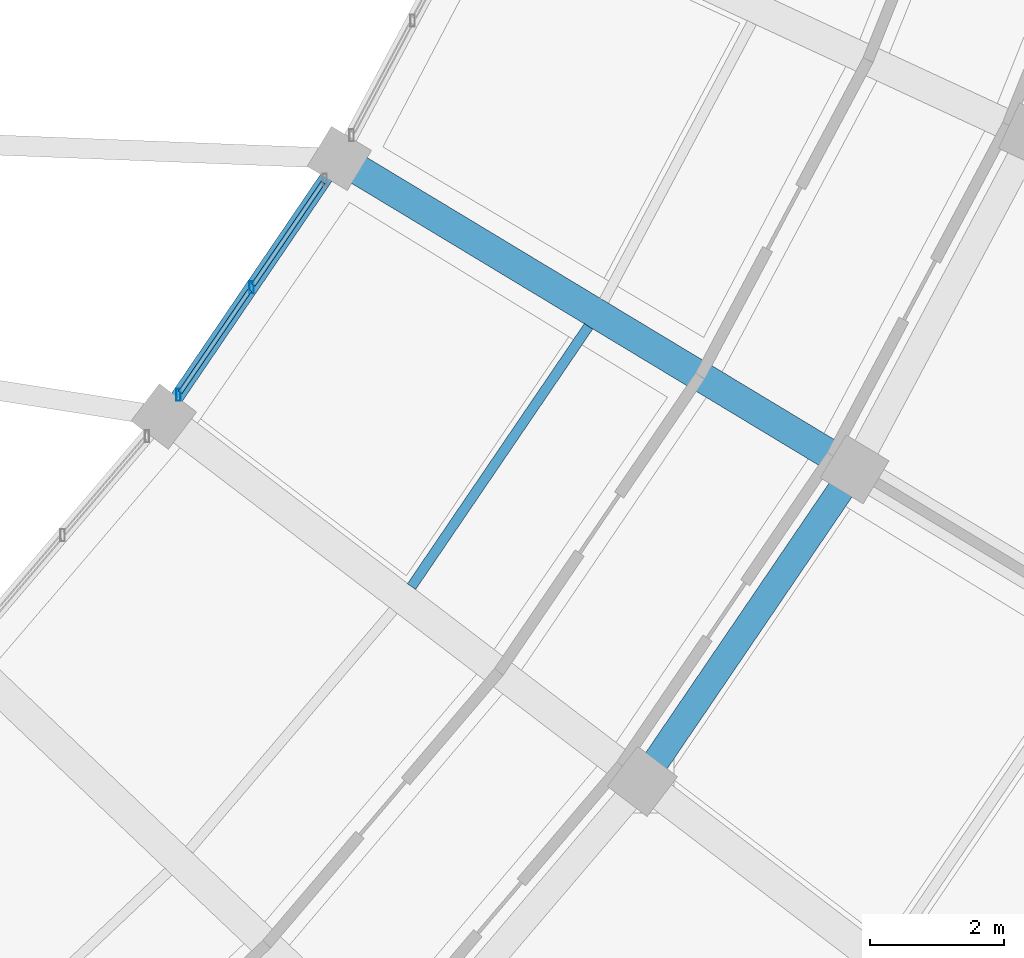
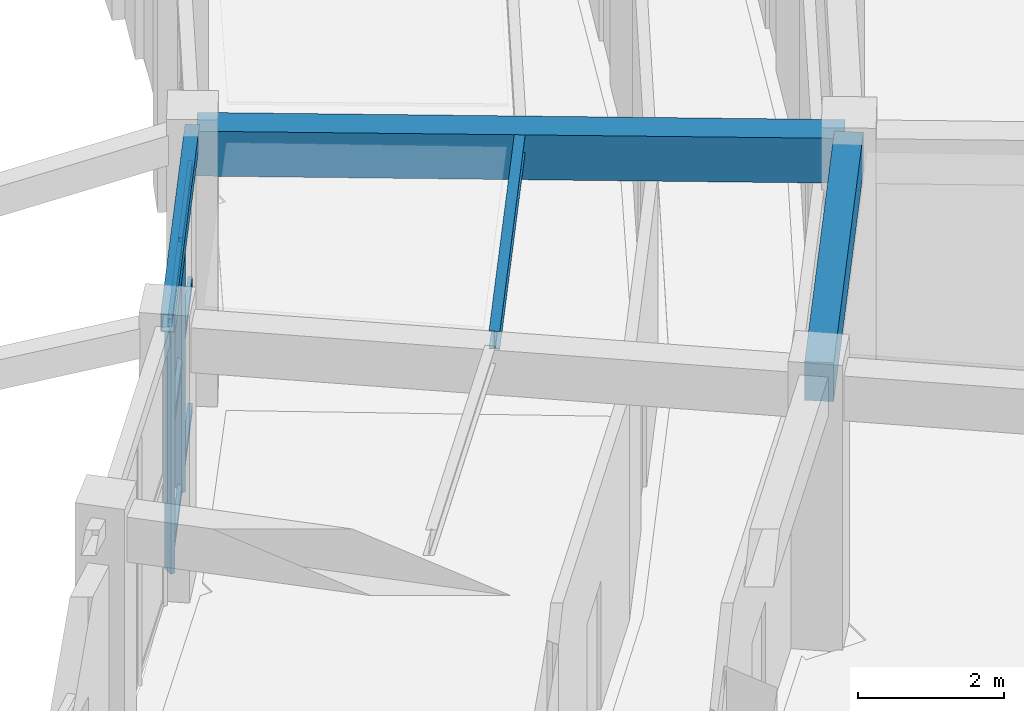
# One storey, part 63 of 108: 8 members, 4 beams, 1 element without a shape of its own.
"""IFC4 building model written with IfcOpenShell, lengths in metres."""

from ifc_helpers import new_model, si_unit, direction, frame, origin, origin_2d, place, context, subcontext, project, spatial, rectangle, hollow_rectangle, i_section, extrude, material, material_profile, profile_set, type_object, element, aggregate, save


model = new_model("IFC4")

# Units and contexts
model_context = context("Model", 3, precision=1e-05, world=origin(), true_north=direction((0.0, 1.0)))
body_context = subcontext(model_context, "Body", "Model", "MODEL_VIEW")
ifc_project = project(units=[si_unit("LENGTHUNIT", "METRE"), si_unit("AREAUNIT", "SQUARE_METRE"), si_unit("VOLUMEUNIT", "CUBIC_METRE"), si_unit("PLANEANGLEUNIT", "RADIAN"), si_unit("MASSUNIT", "GRAM", prefix="KILO")], contexts=[model_context])

# Site, building, storey
site_placement = place(None, origin())
site = spatial("IfcSite", under=ifc_project, at=site_placement, CompositionType="ELEMENT")
building_placement = place(site_placement, origin())
building = spatial("IfcBuilding", under=site, at=building_placement, Name="Tarnveldt Headland Concert Hall", CompositionType="ELEMENT")
storey_placement = place(building_placement, origin())
storey = spatial("IfcBuildingStorey", under=building, at=storey_placement, Name="L00", CompositionType="ELEMENT", Elevation=0.0)

# Beams
ifc_material_1 = material(Name="Concrete C40/50", Category="concrete")
ifc_material_profile_1 = material_profile(ifc_material_1, rectangle(XDim=0.39990234375, YDim=0.64990234375, at=origin_2d()), Name="RC 400x650", Category="concrete")
ifc_profile_set_1 = profile_set([ifc_material_profile_1], Name="Concrete C40/50")
beam_type_1 = type_object("IfcBeamType", Name="CB-400x650", PredefinedType="BEAM", material=ifc_profile_set_1)
beam_1_placement = place(storey_placement, frame((158.8798828125, 28.51416015625, 4.195068359375), z_axis=(0.562436935029, 0.826840186563, 0.0), x_axis=(-0.826840186563, 0.562436935029, 0.0)))
element("IfcBeam", 1, at=beam_1_placement, inside=storey, type_object=beam_type_1, Name="Framing beam L00-448", PredefinedType="BEAM", context=body_context, shape_type="SweptSolid", body=[
    extrude(rectangle(XDim=0.39990234375, YDim=0.64990234375, at=origin_2d()), origin(), (0.0, 0.0, 1.0), 5.5244140625),
])
ifc_material_profile_2 = material_profile(ifc_material_1, rectangle(XDim=0.449951171875, YDim=0.75, at=origin_2d()), Name="RC 450x750", Category="concrete")
ifc_profile_set_2 = profile_set([ifc_material_profile_2], Name="Concrete C40/50")
beam_type_2 = type_object("IfcBeamType", Name="CB-450x750", PredefinedType="BEAM", material=ifc_profile_set_2)
beam_2_placement = place(storey_placement, frame((154.36669921875, 37.7509765625, 4.14501953125), z_axis=(0.856155786083, -0.516717785602, 0.0), x_axis=(0.516717785602, 0.856155786083, 0.0)))
element("IfcBeam", 2, at=beam_2_placement, inside=storey, type_object=beam_type_2, Name="Framing beam L00-452", PredefinedType="BEAM", context=body_context, shape_type="SweptSolid", body=[
    extrude(rectangle(XDim=0.449951171875, YDim=0.75, at=origin_2d()), origin(), (0.0, 0.0, 1.0), 8.8798828125),
])

# Curtain wall, members
ifc_material_2 = material(Name="Marine-anodised aluminium EN AW-6063-T6", Category="aluminium")
curtain_wall_type = type_object("IfcCurtainWallType", Name="CW-C1", PredefinedType="NOTDEFINED", material=ifc_material_2)
curtain_wall_placement = place(storey_placement, origin())
curtain_wall = element("IfcCurtainWall", 3, at=curtain_wall_placement, inside=storey, type_object=curtain_wall_type, Name="Curtain wall CW-L00-097", PredefinedType="NOTDEFINED")
ifc_material_profile_3 = material_profile(ifc_material_2, hollow_rectangle(XDim=0.06494140625, YDim=0.179931640625, WallThickness=0.00390625, at=origin_2d()), Name="ALU MULLION 65x180x4", Category="aluminium")
ifc_profile_set_3 = profile_set([ifc_material_profile_3], Name="Marine-anodised aluminium EN AW-6063-T6")
member_type_1 = type_object("IfcMemberType", Name="ML-180", PredefinedType="MULLION", material=ifc_profile_set_3)
member_1_placement = place(storey_placement, frame((151.909423828125, 34.2451171875, 0.0), z_axis=(0.0, 0.0, 1.0), x_axis=(1.0, 0.0, 0.0)))
member_1 = element("IfcMember", 4, at=member_1_placement, type_object=member_type_1, Name="Mullion CW-L00-097-1", PredefinedType="MULLION", context=body_context, shape_type="SweptSolid", body=[
    extrude(hollow_rectangle(XDim=0.06494140625, YDim=0.179931640625, WallThickness=0.00390625, at=origin_2d()), origin(), (0.0, 0.0, 1.0), 4.159912109375),
])
member_2_placement = place(storey_placement, frame((153.002685546875, 35.852294921875, 0.0), z_axis=(0.0, 0.0, 1.0), x_axis=(1.0, 0.0, 0.0)))
member_2 = element("IfcMember", 5, at=member_2_placement, type_object=member_type_1, Name="Mullion CW-L00-097-2", PredefinedType="MULLION", context=body_context, shape_type="SweptSolid", body=[
    extrude(hollow_rectangle(XDim=0.06494140625, YDim=0.179931640625, WallThickness=0.00390625, at=origin_2d()), origin(), (0.0, 0.0, 1.0), 4.159912109375),
])

# Beams
ifc_material_3 = material(Name="Steel S355", Category="steel")
ifc_material_profile_4 = material_profile(ifc_material_3, i_section(OverallWidth=0.14990234375, OverallDepth=0.300048828125, WebThickness=0.007080078125, FlangeThickness=0.0107421875, FilletRadius=0.014892578125, at=origin_2d()), Name="IPE300", Category="steel")
ifc_profile_set_4 = profile_set([ifc_material_profile_4], Name="Steel S355")
beam_type_3 = type_object("IfcBeamType", Name="SB-IPE300", PredefinedType="JOIST", material=ifc_profile_set_4)
beam_3_placement = place(storey_placement, frame((155.394775390625, 31.379638671875, 4.3701171875), z_axis=(0.562422118393, 0.826850265007, 0.0), x_axis=(-0.826850265007, 0.562422118393, 0.0)))
element("IfcBeam", 6, at=beam_3_placement, inside=storey, type_object=beam_type_3, Name="Framing beam L00-450", PredefinedType="JOIST", context=body_context, shape_type="SweptSolid", body=[
    extrude(i_section(OverallWidth=0.14990234375, OverallDepth=0.300048828125, WebThickness=0.007080078125, FlangeThickness=0.0107421875, FilletRadius=0.014892578125, at=origin_2d()), origin(), (0.0, 0.0, 1.0), 4.7060546875),
])
ifc_material_profile_5 = material_profile(ifc_material_3, hollow_rectangle(XDim=0.199951171875, YDim=0.300048828125, WallThickness=0.012451171875, at=origin_2d()), Name="RHS 300x200x12.5", Category="steel")
ifc_profile_set_5 = profile_set([ifc_material_profile_5], Name="Steel S355")
beam_type_4 = type_object("IfcBeamType", Name="SB-RHS300", PredefinedType="SPANDREL", material=ifc_profile_set_5)
beam_4_placement = place(storey_placement, frame((151.723876953125, 33.97216796875, 4.3701171875), z_axis=(0.562406932975, 0.826860593898, 0.0), x_axis=(-0.826860593898, 0.562406932975, 0.0)))
element("IfcBeam", 7, at=beam_4_placement, inside=storey, type_object=beam_type_4, Name="Framing beam L00-447", PredefinedType="SPANDREL", context=body_context, shape_type="SweptSolid", body=[
    extrude(hollow_rectangle(XDim=0.199951171875, YDim=0.300048828125, WallThickness=0.012451171875, at=origin_2d()), origin(), (0.0, 0.0, 1.0), 4.547607421875),
])

# Member
ifc_material_profile_6 = material_profile(ifc_material_2, hollow_rectangle(XDim=0.06494140625, YDim=0.139892578125, WallThickness=0.00390625, at=origin_2d()), Name="ALU TRANSOM 65x140x4", Category="aluminium")
ifc_profile_set_6 = profile_set([ifc_material_profile_6], Name="Marine-anodised aluminium EN AW-6063-T6")
member_type_2 = type_object("IfcMemberType", Name="TR-140", PredefinedType="MEMBER", material=ifc_profile_set_6)
member_3_placement = place(storey_placement, frame((151.9345703125, 34.281982421875, 0.050048828125), z_axis=(0.562482836063, 0.826808961692, 0.0), x_axis=(-0.826808961692, 0.562482836063, 0.0)))
member_3 = element("IfcMember", 8, at=member_3_placement, type_object=member_type_2, Name="Transom CW-L00-097-1-1", PredefinedType="MEMBER", context=body_context, shape_type="SweptSolid", body=[
    extrude(hollow_rectangle(XDim=0.06494140625, YDim=0.139892578125, WallThickness=0.00390625, at=origin_2d()), origin(), (0.0, 0.0, 1.0), 1.854736328125),
])

member_4_placement = place(storey_placement, frame((151.9345703125, 34.281982421875, 2.1630859375), z_axis=(0.562482836063, 0.826808961692, 0.0), x_axis=(-0.826808961692, 0.562482836063, 0.0)))
member_4 = element("IfcMember", 9, at=member_4_placement, type_object=member_type_2, Name="Transom CW-L00-097-1-2", PredefinedType="MEMBER", context=body_context, shape_type="SweptSolid", body=[
    extrude(hollow_rectangle(XDim=0.06494140625, YDim=0.139892578125, WallThickness=0.00390625, at=origin_2d()), origin(), (0.0, 0.0, 1.0), 1.854736328125),
])

member_5_placement = place(storey_placement, frame((151.9345703125, 34.281982421875, 4.110107421875), z_axis=(0.562482836063, 0.826808961692, 0.0), x_axis=(-0.826808961692, 0.562482836063, 0.0)))
member_5 = element("IfcMember", 10, at=member_5_placement, type_object=member_type_2, Name="Transom CW-L00-097-1-3", PredefinedType="MEMBER", context=body_context, shape_type="SweptSolid", body=[
    extrude(hollow_rectangle(XDim=0.06494140625, YDim=0.139892578125, WallThickness=0.00390625, at=origin_2d()), origin(), (0.0, 0.0, 1.0), 1.854736328125),
])

member_6_placement = place(storey_placement, frame((153.027587890625, 35.888916015625, 0.050048828125), z_axis=(0.562421621535, 0.826850602969, 0.0), x_axis=(-0.826850602969, 0.562421621535, 0.0)))
member_6 = element("IfcMember", 11, at=member_6_placement, type_object=member_type_2, Name="Transom CW-L00-097-2-1", PredefinedType="MEMBER", context=body_context, shape_type="SweptSolid", body=[
    extrude(hollow_rectangle(XDim=0.06494140625, YDim=0.139892578125, WallThickness=0.00390625, at=origin_2d()), origin(), (0.0, 0.0, 1.0), 1.85498046875),
])

member_7_placement = place(storey_placement, frame((153.027587890625, 35.888916015625, 2.1630859375), z_axis=(0.562421621535, 0.826850602969, 0.0), x_axis=(-0.826850602969, 0.562421621535, 0.0)))
member_7 = element("IfcMember", 12, at=member_7_placement, type_object=member_type_2, Name="Transom CW-L00-097-2-2", PredefinedType="MEMBER", context=body_context, shape_type="SweptSolid", body=[
    extrude(hollow_rectangle(XDim=0.06494140625, YDim=0.139892578125, WallThickness=0.00390625, at=origin_2d()), origin(), (0.0, 0.0, 1.0), 1.85498046875),
])

member_8_placement = place(storey_placement, frame((153.027587890625, 35.888916015625, 4.110107421875), z_axis=(0.562421621535, 0.826850602969, 0.0), x_axis=(-0.826850602969, 0.562421621535, 0.0)))
member_8 = element("IfcMember", 13, at=member_8_placement, type_object=member_type_2, Name="Transom CW-L00-097-2-3", PredefinedType="MEMBER", context=body_context, shape_type="SweptSolid", body=[
    extrude(hollow_rectangle(XDim=0.06494140625, YDim=0.139892578125, WallThickness=0.00390625, at=origin_2d()), origin(), (0.0, 0.0, 1.0), 1.85498046875),
])

aggregate(curtain_wall, [member_1, member_2, member_3, member_4, member_5, member_6, member_7, member_8])

save(model, "model.ifc")
